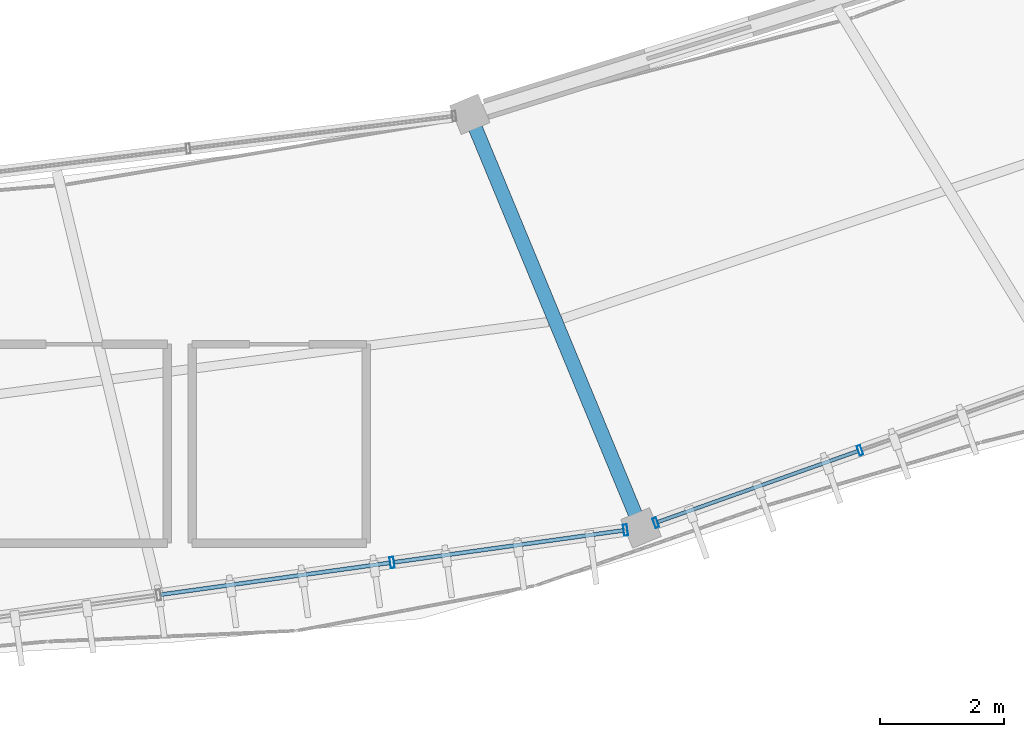
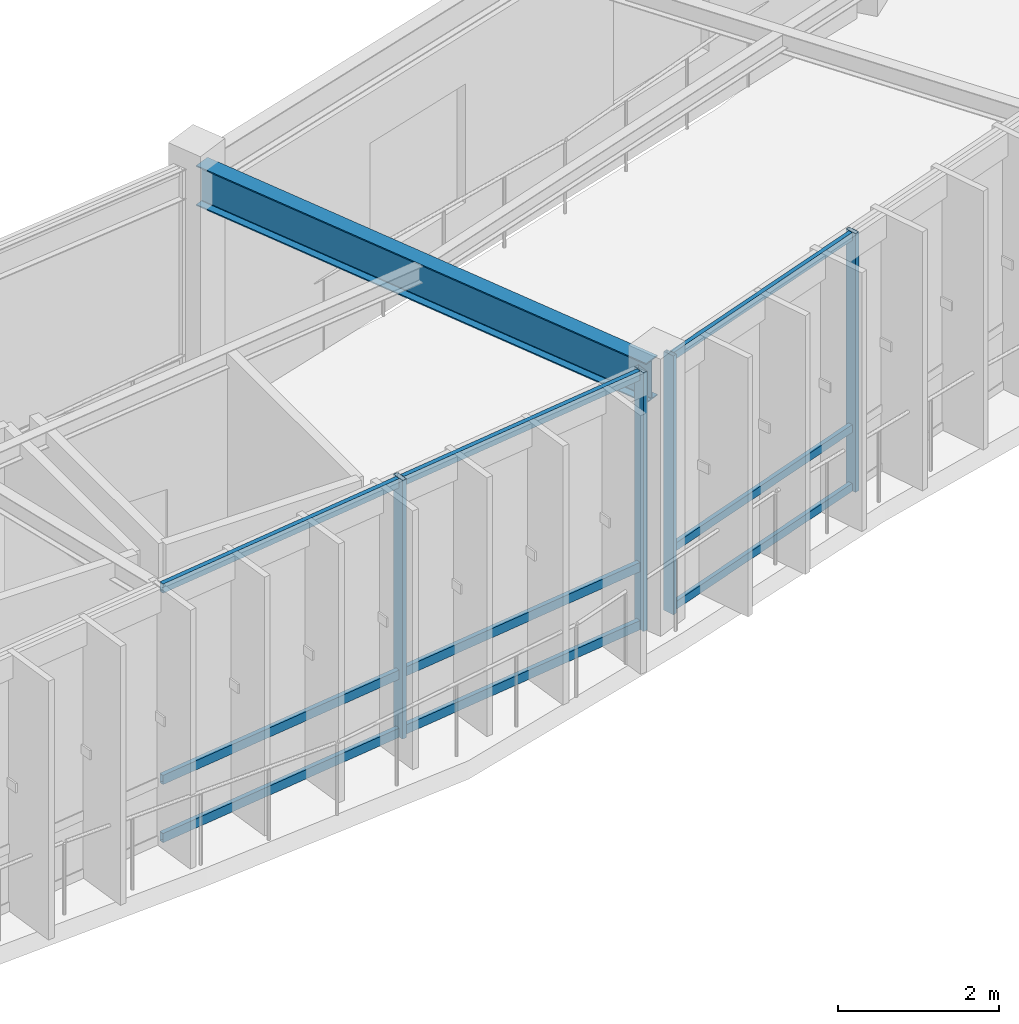
# One storey, part 42 of 78: 13 members, 1 beam, 2 elements without a shape of their own.
"""IFC4 building model written with IfcOpenShell, lengths in metres."""

from ifc_helpers import new_model, si_unit, direction, frame, origin, origin_2d, place, context, subcontext, project, spatial, hollow_rectangle, i_section, extrude, material, material_profile, profile_set, type_object, element, aggregate, save


model = new_model("IFC4")

# Units and contexts
model_context = context("Model", 3, precision=1e-05, world=origin(), true_north=direction((0.0, 1.0)))
body_context = subcontext(model_context, "Body", "Model", "MODEL_VIEW")
ifc_project = project(units=[si_unit("LENGTHUNIT", "METRE"), si_unit("AREAUNIT", "SQUARE_METRE"), si_unit("VOLUMEUNIT", "CUBIC_METRE"), si_unit("PLANEANGLEUNIT", "RADIAN"), si_unit("MASSUNIT", "GRAM", prefix="KILO"), si_unit("THERMODYNAMICTEMPERATUREUNIT", "KELVIN"), si_unit("POWERUNIT", "WATT")], contexts=[model_context])

# Site, building, storey
site_placement = place(None, origin())
site = spatial("IfcSite", under=ifc_project, at=site_placement, CompositionType="ELEMENT")
building_placement = place(site_placement, origin())
building = spatial("IfcBuilding", under=site, at=building_placement, Name="Darbajah Civic Hall", CompositionType="ELEMENT")
storey_placement = place(building_placement, frame((0.0, 0.0, 26.39990234375)))
storey = spatial("IfcBuildingStorey", under=building, at=storey_placement, Name="L06", CompositionType="ELEMENT", Elevation=26.39990234375)

# Curtain wall, members
ifc_material_1 = material(Name="Anodised Bronze Aluminium and Low-E Glazing", Category="aluminium")
curtain_wall_type_1 = type_object("IfcCurtainWallType", Name="Unitised Curtain Wall CW-85 13900x3900", PredefinedType="USERDEFINED", material=ifc_material_1)
curtain_wall_1_placement = place(storey_placement, origin())
curtain_wall_1 = element("IfcCurtainWall", 1, at=curtain_wall_1_placement, inside=storey, type_object=curtain_wall_type_1, Name="L06 unitised curtain wall CW-V1O-L06-16", ObjectType="UNITISED CURTAIN WALL", PredefinedType="USERDEFINED")
ifc_material_2 = material(Name="Anodised Bronze Aluminium", Category="aluminium")
ifc_material_profile_1 = material_profile(ifc_material_2, hollow_rectangle(XDim=0.06005859375, YDim=0.159912109375, WallThickness=0.00341796875, at=origin_2d()), Name="ALU MULLION 60x160")
ifc_profile_set_1 = profile_set([ifc_material_profile_1], Name="Anodised Bronze Aluminium")
member_type_1 = type_object("IfcMemberType", Name="ALU MULLION 60x160", PredefinedType="MULLION", material=ifc_profile_set_1)
member_1_placement = place(storey_placement, frame((108.8544921875, 62.6298828125, 0.0), z_axis=(0.0, 0.0, 1.0), x_axis=(0.94252491309, 0.334135882844, 0.0)))
member_1 = element("IfcMember", 2, at=member_1_placement, type_object=member_type_1, Name="CW-V1O-L06-16 mullion 1", PredefinedType="MULLION", context=body_context, shape_type="SweptSolid", body=[
    extrude(hollow_rectangle(XDim=0.06005859375, YDim=0.159912109375, WallThickness=0.00341796875, at=origin_2d()), origin(), (0.0, 0.0, 1.0), 3.920166015625),
])
member_2_placement = place(storey_placement, frame((112.136962890625, 63.793212890625, 0.0), z_axis=(0.0, 0.0, 1.0), x_axis=(0.94252491309, 0.334135882844, 0.0)))
member_2 = element("IfcMember", 3, at=member_2_placement, type_object=member_type_1, Name="CW-V1O-L06-16 mullion 2", PredefinedType="MULLION", context=body_context, shape_type="SweptSolid", body=[
    extrude(hollow_rectangle(XDim=0.06005859375, YDim=0.159912109375, WallThickness=0.00341796875, at=origin_2d()), origin(), (0.0, 0.0, 1.0), 3.920166015625),
])

curtain_wall_type_2 = type_object("IfcCurtainWallType", Name="Unitised Curtain Wall CW-91 15200x3900", PredefinedType="USERDEFINED", material=ifc_material_1)
curtain_wall_2_placement = place(storey_placement, origin())
curtain_wall_2 = element("IfcCurtainWall", 4, at=curtain_wall_2_placement, inside=storey, type_object=curtain_wall_type_2, Name="L06 unitised curtain wall CW-V1O-L06-15", ObjectType="UNITISED CURTAIN WALL", PredefinedType="USERDEFINED")
ifc_material_profile_2 = material_profile(ifc_material_2, hollow_rectangle(XDim=0.06494140625, YDim=0.179931640625, WallThickness=0.00390625, at=origin_2d()), Name="ALU MULLION 65x180")
ifc_profile_set_2 = profile_set([ifc_material_profile_2], Name="Anodised Bronze Aluminium")
member_type_2 = type_object("IfcMemberType", Name="ALU MULLION 65x180", PredefinedType="MULLION", material=ifc_profile_set_2)
member_3_placement = place(storey_placement, frame((104.61328125, 61.989501953125, 0.0), z_axis=(0.0, 0.0, 1.0), x_axis=(0.990485459553, 0.137617420457, 0.0)))
member_3 = element("IfcMember", 5, at=member_3_placement, type_object=member_type_2, Name="CW-V1O-L06-15 mullion 4", PredefinedType="MULLION", context=body_context, shape_type="SweptSolid", body=[
    extrude(hollow_rectangle(XDim=0.06494140625, YDim=0.179931640625, WallThickness=0.00390625, at=origin_2d()), origin(), (0.0, 0.0, 1.0), 3.920166015625),
])
member_4_placement = place(storey_placement, frame((108.3671875, 62.510986328125, 0.0), z_axis=(0.0, 0.0, 1.0), x_axis=(0.990485459553, 0.137617420457, 0.0)))
member_4 = element("IfcMember", 6, at=member_4_placement, type_object=member_type_2, Name="CW-V1O-L06-15 mullion 5", PredefinedType="MULLION", context=body_context, shape_type="SweptSolid", body=[
    extrude(hollow_rectangle(XDim=0.06494140625, YDim=0.179931640625, WallThickness=0.00390625, at=origin_2d()), origin(), (0.0, 0.0, 1.0), 3.920166015625),
])

# Member
ifc_material_profile_3 = material_profile(ifc_material_2, hollow_rectangle(XDim=0.06005859375, YDim=0.1201171875, WallThickness=0.003173828125, at=origin_2d()), Name="ALU TRANSOM 60x120")
ifc_profile_set_3 = profile_set([ifc_material_profile_3], Name="Anodised Bronze Aluminium")
member_type_3 = type_object("IfcMemberType", Name="ALU TRANSOM 60x120", PredefinedType="USERDEFINED", material=ifc_profile_set_3)
member_5_placement = place(storey_placement, frame((108.887451171875, 62.6416015625, 0.06005859375), z_axis=(0.942562949773, 0.334028570208, 0.0), x_axis=(-0.334028570208, 0.942562949773, 0.0)))
member_5 = element("IfcMember", 7, at=member_5_placement, type_object=member_type_3, Name="CW-V1O-L06-16 transom 1.1", ObjectType="TRANSOM", PredefinedType="USERDEFINED", context=body_context, shape_type="SweptSolid", body=[
    extrude(hollow_rectangle(XDim=0.06005859375, YDim=0.1201171875, WallThickness=0.003173828125, at=origin_2d()), origin(), (0.0, 0.0, 1.0), 3.41259765625),
])

member_6_placement = place(storey_placement, frame((108.887451171875, 62.6416015625, 0.9501953125), z_axis=(0.942562949773, 0.334028570208, 0.0), x_axis=(-0.334028570208, 0.942562949773, 0.0)))
member_6 = element("IfcMember", 8, at=member_6_placement, type_object=member_type_3, Name="CW-V1O-L06-16 transom 1.2", ObjectType="TRANSOM", PredefinedType="USERDEFINED", context=body_context, shape_type="SweptSolid", body=[
    extrude(hollow_rectangle(XDim=0.06005859375, YDim=0.1201171875, WallThickness=0.003173828125, at=origin_2d()), origin(), (0.0, 0.0, 1.0), 3.41259765625),
])

member_7_placement = place(storey_placement, frame((108.887451171875, 62.6416015625, 3.860107421875), z_axis=(0.942562949773, 0.334028570208, 0.0), x_axis=(-0.334028570208, 0.942562949773, 0.0)))
member_7 = element("IfcMember", 9, at=member_7_placement, type_object=member_type_3, Name="CW-V1O-L06-16 transom 1.3", ObjectType="TRANSOM", PredefinedType="USERDEFINED", context=body_context, shape_type="SweptSolid", body=[
    extrude(hollow_rectangle(XDim=0.06005859375, YDim=0.1201171875, WallThickness=0.003173828125, at=origin_2d()), origin(), (0.0, 0.0, 1.0), 3.41259765625),
])

aggregate(curtain_wall_1, [member_1, member_2, member_5, member_6, member_7])

ifc_material_profile_4 = material_profile(ifc_material_2, hollow_rectangle(XDim=0.06494140625, YDim=0.139892578125, WallThickness=0.00341796875, at=origin_2d()), Name="ALU TRANSOM 65x140")
ifc_profile_set_4 = profile_set([ifc_material_profile_4], Name="Anodised Bronze Aluminium")
member_type_4 = type_object("IfcMemberType", Name="ALU TRANSOM 65x140", PredefinedType="USERDEFINED", material=ifc_profile_set_4)
member_8_placement = place(storey_placement, frame((100.896240234375, 61.473388671875, 0.070068359375), z_axis=(0.990496501045, 0.1375379272, 0.0), x_axis=(-0.1375379272, 0.990496501045, 0.0)))
member_8 = element("IfcMember", 10, at=member_8_placement, type_object=member_type_4, Name="CW-V1O-L06-15 transom 3.1", ObjectType="TRANSOM", PredefinedType="USERDEFINED", context=body_context, shape_type="SweptSolid", body=[
    extrude(hollow_rectangle(XDim=0.06494140625, YDim=0.139892578125, WallThickness=0.00341796875, at=origin_2d()), origin(), (0.0, 0.0, 1.0), 3.71533203125),
])

member_9_placement = place(storey_placement, frame((100.896240234375, 61.473388671875, 0.9501953125), z_axis=(0.990496501045, 0.1375379272, 0.0), x_axis=(-0.1375379272, 0.990496501045, 0.0)))
member_9 = element("IfcMember", 11, at=member_9_placement, type_object=member_type_4, Name="CW-V1O-L06-15 transom 3.2", ObjectType="TRANSOM", PredefinedType="USERDEFINED", context=body_context, shape_type="SweptSolid", body=[
    extrude(hollow_rectangle(XDim=0.06494140625, YDim=0.139892578125, WallThickness=0.00341796875, at=origin_2d()), origin(), (0.0, 0.0, 1.0), 3.71533203125),
])

member_10_placement = place(storey_placement, frame((100.896240234375, 61.473388671875, 3.85009765625), z_axis=(0.990496501045, 0.1375379272, 0.0), x_axis=(-0.1375379272, 0.990496501045, 0.0)))
member_10 = element("IfcMember", 12, at=member_10_placement, type_object=member_type_4, Name="CW-V1O-L06-15 transom 3.3", ObjectType="TRANSOM", PredefinedType="USERDEFINED", context=body_context, shape_type="SweptSolid", body=[
    extrude(hollow_rectangle(XDim=0.06494140625, YDim=0.139892578125, WallThickness=0.00341796875, at=origin_2d()), origin(), (0.0, 0.0, 1.0), 3.71533203125),
])

member_11_placement = place(storey_placement, frame((104.650390625, 61.99462890625, 0.070068359375), z_axis=(0.990495257846, 0.137546879954, 0.0), x_axis=(-0.137546879954, 0.990495257846, 0.0)))
member_11 = element("IfcMember", 13, at=member_11_placement, type_object=member_type_4, Name="CW-V1O-L06-15 transom 4.1", ObjectType="TRANSOM", PredefinedType="USERDEFINED", context=body_context, shape_type="SweptSolid", body=[
    extrude(hollow_rectangle(XDim=0.06494140625, YDim=0.139892578125, WallThickness=0.00341796875, at=origin_2d()), origin(), (0.0, 0.0, 1.0), 3.715087890625),
])

member_12_placement = place(storey_placement, frame((104.650390625, 61.99462890625, 0.9501953125), z_axis=(0.990495257846, 0.137546879954, 0.0), x_axis=(-0.137546879954, 0.990495257846, 0.0)))
member_12 = element("IfcMember", 14, at=member_12_placement, type_object=member_type_4, Name="CW-V1O-L06-15 transom 4.2", ObjectType="TRANSOM", PredefinedType="USERDEFINED", context=body_context, shape_type="SweptSolid", body=[
    extrude(hollow_rectangle(XDim=0.06494140625, YDim=0.139892578125, WallThickness=0.00341796875, at=origin_2d()), origin(), (0.0, 0.0, 1.0), 3.715087890625),
])

member_13_placement = place(storey_placement, frame((104.650390625, 61.99462890625, 3.85009765625), z_axis=(0.990495257846, 0.137546879954, 0.0), x_axis=(-0.137546879954, 0.990495257846, 0.0)))
member_13 = element("IfcMember", 15, at=member_13_placement, type_object=member_type_4, Name="CW-V1O-L06-15 transom 4.3", ObjectType="TRANSOM", PredefinedType="USERDEFINED", context=body_context, shape_type="SweptSolid", body=[
    extrude(hollow_rectangle(XDim=0.06494140625, YDim=0.139892578125, WallThickness=0.00341796875, at=origin_2d()), origin(), (0.0, 0.0, 1.0), 3.715087890625),
])

aggregate(curtain_wall_2, [member_3, member_4, member_8, member_9, member_10, member_11, member_12, member_13])

# Beam
ifc_material_3 = material(Name="Steel S355JR", Category="steel")
ifc_material_profile_5 = material_profile(ifc_material_3, i_section(OverallWidth=0.228271484375, OverallDepth=0.607666015625, WebThickness=0.010986328125, FlangeThickness=0.017333984375, FilletRadius=0.0126953125, at=origin_2d()), Name="UB 610x229x113")
ifc_profile_set_5 = profile_set([ifc_material_profile_5], Name="Steel S355JR")
beam_type = type_object("IfcBeamType", Name="UB 610x229x113", PredefinedType="BEAM", material=ifc_profile_set_5)
beam_placement = place(storey_placement, frame((105.89208984375, 69.12353515625, 3.6162109375), z_axis=(0.382681552297, -0.923880311259, 0.0), x_axis=(0.923880311259, 0.382681552297, 0.0)))
element("IfcBeam", 16, at=beam_placement, inside=storey, type_object=beam_type, Name="L06 beam SB-610", PredefinedType="BEAM", context=body_context, shape_type="SweptSolid", body=[
    extrude(i_section(OverallWidth=0.228271484375, OverallDepth=0.607666015625, WebThickness=0.010986328125, FlangeThickness=0.017333984375, FilletRadius=0.0126953125, at=origin_2d()), origin(), (0.0, 0.0, 1.0), 7.0400390625),
])

save(model, "model.ifc")
